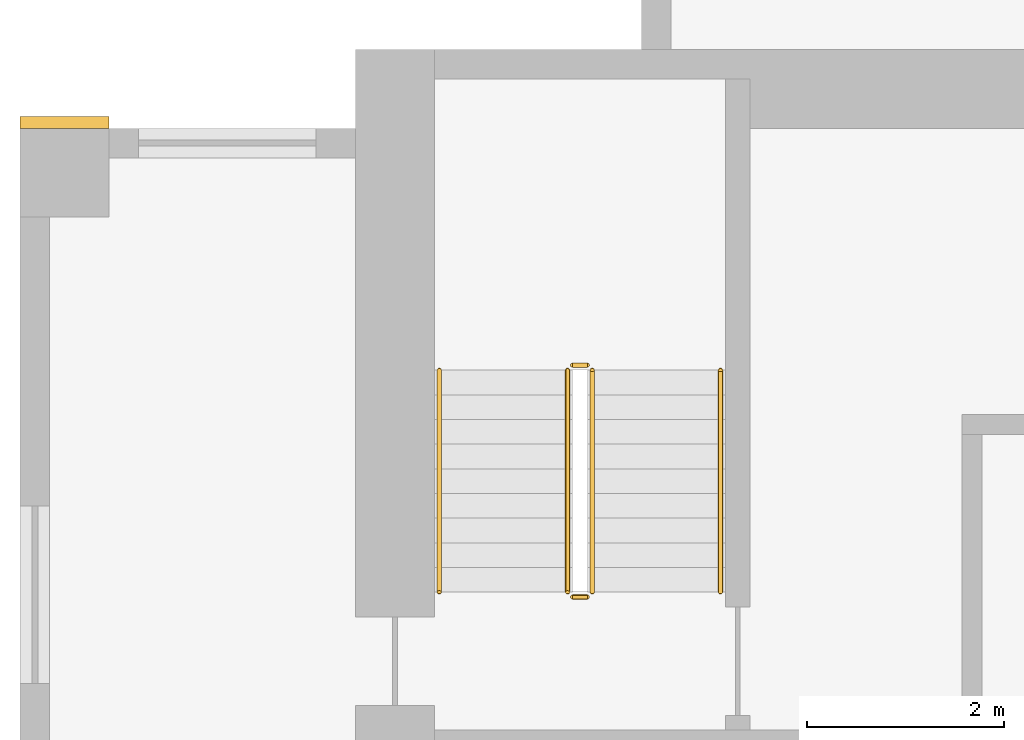
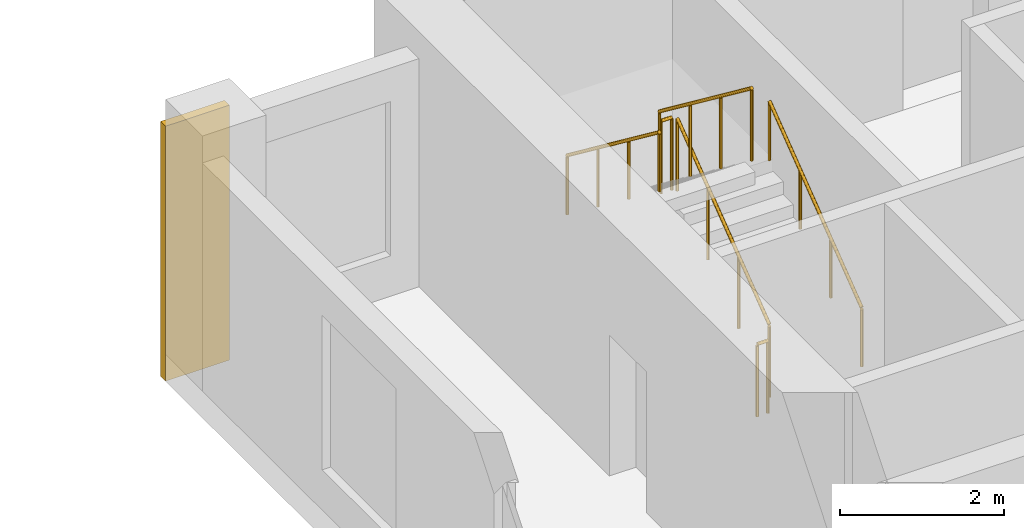
# One storey, part 11 of 13: 6 railings, 1 covering.
"""IFC4 building model written with IfcOpenShell, lengths in metres."""

from ifc_helpers import new_model, si_unit, direction, frame, origin, origin_2d, place, context, subcontext, project, spatial, rectangle, circle, extrude, source, transform, mapped, material, type_object, element, save


model = new_model("IFC4")

# Units and contexts
model_context = context("Model", 3, precision=1e-05, world=origin(), true_north=direction((0.0, 1.0)))
body_context = subcontext(model_context, "Body", "Model", "MODEL_VIEW")
ifc_project = project(units=[si_unit("LENGTHUNIT", "METRE"), si_unit("AREAUNIT", "SQUARE_METRE"), si_unit("VOLUMEUNIT", "CUBIC_METRE"), si_unit("PLANEANGLEUNIT", "RADIAN"), si_unit("MASSUNIT", "GRAM", prefix="KILO")], contexts=[model_context])

# Site, building, storey
site_placement = place(None, origin())
site = spatial("IfcSite", under=ifc_project, at=site_placement, CompositionType="ELEMENT")
building_placement = place(site_placement, origin())
building = spatial("IfcBuilding", under=site, at=building_placement, Name="Aurelian Terraces", CompositionType="ELEMENT")
storey_placement = place(building_placement, frame((0.0, 0.0, 204.4)))
storey = spatial("IfcBuildingStorey", under=building, at=storey_placement, Name="L45", CompositionType="ELEMENT", Elevation=204.4)

# Covering
ifc_material_1 = material(Name="Terracotta rainscreen cladding relief", Category="masonry")
covering_type = type_object("IfcCoveringType", Name="BAGUETTE-TC", PredefinedType="CLADDING", material=ifc_material_1)
shared_shape_1 = source(origin(), body_context, "Body", "SweptSolid", [
    extrude(rectangle(XDim=0.9, YDim=0.12, at=origin_2d()), origin(), (0.0, 0.0, 1.0), 3.8),
])
covering_placement = place(storey_placement, frame((0.45, 21.06, -0.4), z_axis=(0.0, 0.0, 1.0), x_axis=(1.0, 0.0, 0.0)))
element("IfcCovering", 1, at=covering_placement, inside=storey, type_object=covering_type, Name="BAGUETTE pier L45 4", PredefinedType="CLADDING", context=body_context, shape_type="MappedRepresentation", body=[
    mapped(shared_shape_1, transform((0.0, 0.0, 0.0), scale=1.0)),
])

# Railings
ifc_material_2 = material(Name="Stainless steel", Category="steel")
railing_type_1 = type_object("IfcRailingType", Name="Stair guard 1100", PredefinedType="GUARDRAIL", material=ifc_material_2)
shared_shape_2 = source(origin(), body_context, "Body", "SweptSolid", [
    extrude(circle(Radius=0.024, at=origin_2d()), frame((0.0, 0.0, 1.076), z_axis=(-1.0, 0.0, 0.0), x_axis=(0.0, -1.0, 0.0)), (0.0, 0.0, 1.0), 0.15),
    extrude(circle(Radius=0.021, at=origin_2d()), origin(), (0.0, 0.0, 1.0), 1.052),
    extrude(circle(Radius=0.021, at=origin_2d()), frame((-0.15, 0.0, 0.0)), (0.0, 0.0, 1.0), 1.052),
])
for number, where, name in (
    (2, (5.75, 18.6, 1.9), "L45 S1 stair guard 2"),
    (3, (5.75, 16.25, 0.0), "L45 S1 stair guard 4"),
):
    element("IfcRailing", number, at=place(storey_placement, frame(where)), inside=storey, type_object=railing_type_1, Name=name, PredefinedType="GUARDRAIL", context=body_context, shape_type="MappedRepresentation", body=[
        mapped(shared_shape_2, transform((0.0, 0.0, 0.0), scale=1.0)),
    ])
shared_shape_3 = source(origin(), body_context, "Body", "SweptSolid", [
    extrude(circle(Radius=0.024, at=origin_2d()), frame((0.0, 0.0, 1.076), z_axis=(0.0, 0.796162194123, 0.605083267534), x_axis=(-1.0, 0.0, 0.0)), (0.0, 0.0, 1.0), 2.8261),
    extrude(circle(Radius=0.021, at=origin_2d()), origin(), (0.0, 0.0, 1.0), 1.052),
    extrude(circle(Radius=0.021, at=origin_2d()), frame((0.0, 0.75, 0.57)), (0.0, 0.0, 1.0), 1.052),
    extrude(circle(Radius=0.021, at=origin_2d()), frame((0.0, 1.5, 1.14)), (0.0, 0.0, 1.0), 1.052),
    extrude(circle(Radius=0.021, at=origin_2d()), frame((0.0, 2.25, 1.71)), (0.0, 0.0, 1.0), 1.052),
])
railing_1_placement = place(storey_placement, frame((5.8, 16.3, 0.19)))
element("IfcRailing", 4, at=railing_1_placement, inside=storey, type_object=railing_type_1, Name="L45 S1 stair guard 1", PredefinedType="GUARDRAIL", context=body_context, shape_type="MappedRepresentation", body=[
    mapped(shared_shape_3, transform((0.0, 0.0, 0.0), scale=1.0)),
])
shared_shape_4 = source(origin(), body_context, "Body", "SweptSolid", [
    extrude(circle(Radius=0.024, at=origin_2d()), frame((0.0, 0.0, 1.076), z_axis=(0.0, -0.796162194123, 0.605083267534), x_axis=(1.0, 0.0, 0.0)), (0.0, 0.0, 1.0), 2.8261),
    extrude(circle(Radius=0.021, at=origin_2d()), origin(), (0.0, 0.0, 1.0), 1.052),
    extrude(circle(Radius=0.021, at=origin_2d()), frame((0.0, -0.75, 0.57)), (0.0, 0.0, 1.0), 1.052),
    extrude(circle(Radius=0.021, at=origin_2d()), frame((0.0, -1.5, 1.14)), (0.0, 0.0, 1.0), 1.052),
    extrude(circle(Radius=0.021, at=origin_2d()), frame((0.0, -2.25, 1.71)), (0.0, 0.0, 1.0), 1.052),
])
railing_2_placement = place(storey_placement, frame((5.55, 18.55, 2.09)))
element("IfcRailing", 5, at=railing_2_placement, inside=storey, type_object=railing_type_1, Name="L45 S1 stair guard 3", PredefinedType="GUARDRAIL", context=body_context, shape_type="MappedRepresentation", body=[
    mapped(shared_shape_4, transform((0.0, 0.0, 0.0), scale=1.0)),
])
railing_type_2 = type_object("IfcRailingType", Name="Stair handrail", PredefinedType="HANDRAIL", material=ifc_material_2)
shared_shape_5 = source(origin(), body_context, "Body", "SweptSolid", [
    extrude(circle(Radius=0.024, at=origin_2d()), frame((0.0, 0.0, 0.876), z_axis=(0.0, 0.796162194123, 0.605083267534), x_axis=(-1.0, 0.0, 0.0)), (0.0, 0.0, 1.0), 2.8261),
    extrude(circle(Radius=0.021, at=origin_2d()), origin(), (0.0, 0.0, 1.0), 0.852),
    extrude(circle(Radius=0.021, at=origin_2d()), frame((0.0, 0.75, 0.57)), (0.0, 0.0, 1.0), 0.852),
    extrude(circle(Radius=0.021, at=origin_2d()), frame((0.0, 1.5, 1.14)), (0.0, 0.0, 1.0), 0.852),
    extrude(circle(Radius=0.021, at=origin_2d()), frame((0.0, 2.25, 1.71)), (0.0, 0.0, 1.0), 0.852),
])
railing_3_placement = place(storey_placement, frame((7.1, 16.3, 0.19)))
element("IfcRailing", 6, at=railing_3_placement, inside=storey, type_object=railing_type_2, Name="L45 S1 stair handrail 1", PredefinedType="HANDRAIL", context=body_context, shape_type="MappedRepresentation", body=[
    mapped(shared_shape_5, transform((0.0, 0.0, 0.0), scale=1.0)),
])
shared_shape_6 = source(origin(), body_context, "Body", "SweptSolid", [
    extrude(circle(Radius=0.024, at=origin_2d()), frame((0.0, 0.0, 0.876), z_axis=(0.0, -0.796162194123, 0.605083267534), x_axis=(1.0, 0.0, 0.0)), (0.0, 0.0, 1.0), 2.8261),
    extrude(circle(Radius=0.021, at=origin_2d()), origin(), (0.0, 0.0, 1.0), 0.852),
    extrude(circle(Radius=0.021, at=origin_2d()), frame((0.0, -0.75, 0.57)), (0.0, 0.0, 1.0), 0.852),
    extrude(circle(Radius=0.021, at=origin_2d()), frame((0.0, -1.5, 1.14)), (0.0, 0.0, 1.0), 0.852),
    extrude(circle(Radius=0.021, at=origin_2d()), frame((0.0, -2.25, 1.71)), (0.0, 0.0, 1.0), 0.852),
])
railing_4_placement = place(storey_placement, frame((4.25, 18.55, 2.09)))
element("IfcRailing", 7, at=railing_4_placement, inside=storey, type_object=railing_type_2, Name="L45 S1 stair handrail 2", PredefinedType="HANDRAIL", context=body_context, shape_type="MappedRepresentation", body=[
    mapped(shared_shape_6, transform((0.0, 0.0, 0.0), scale=1.0)),
])

save(model, "model.ifc")
